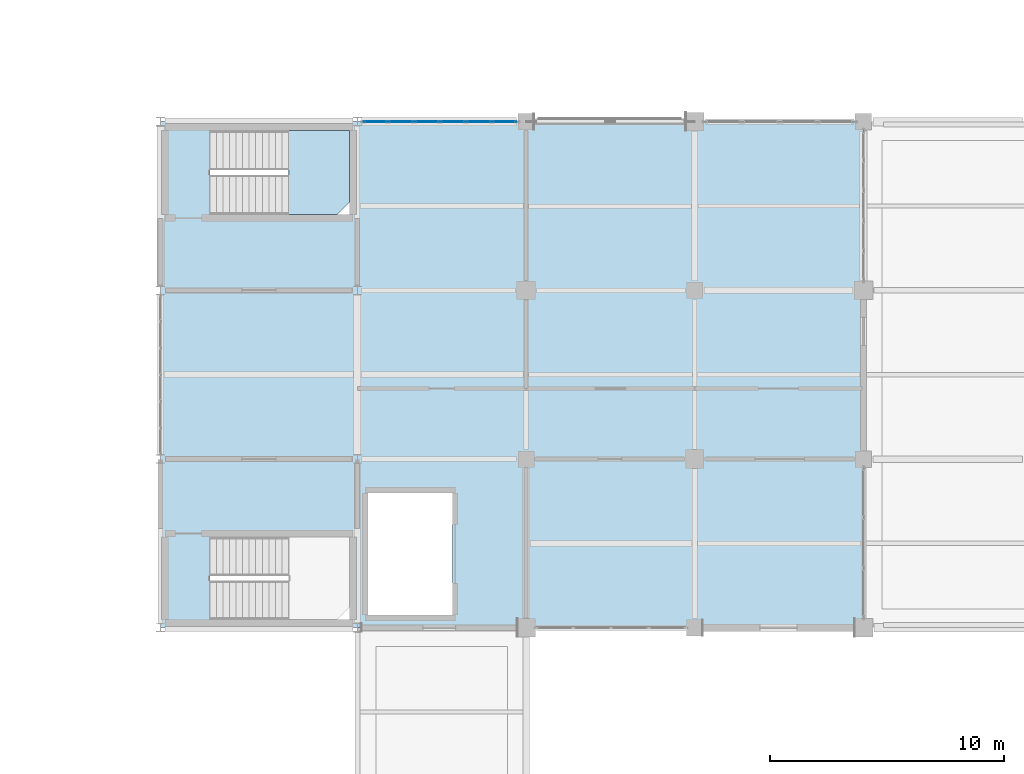
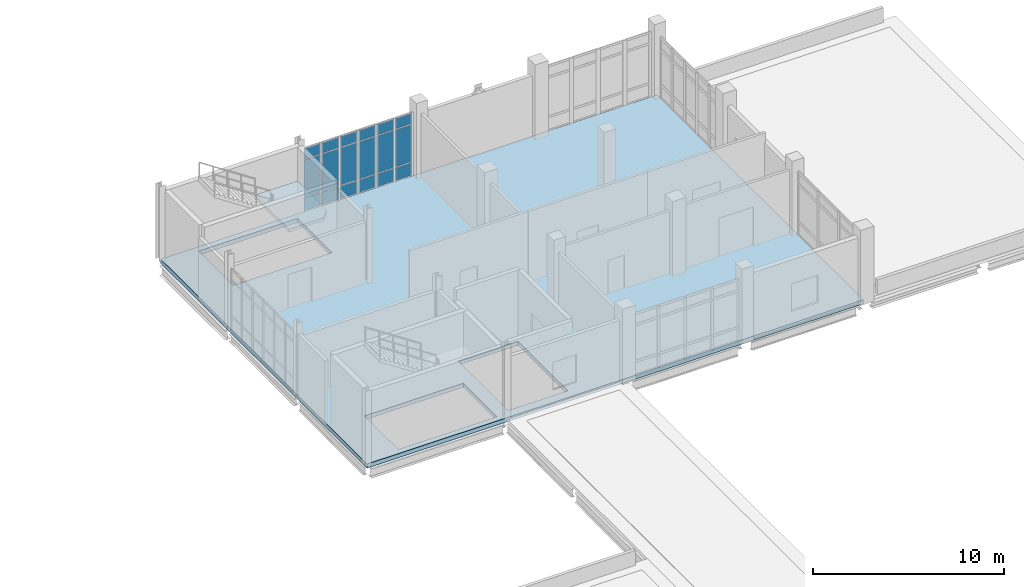
# One storey, part 104 of 153: 18 plates, 2 slabs, 2 elements without a shape of their own.
"""IFC4 building model written with IfcOpenShell, lengths in metres."""

from ifc_helpers import new_model, si_unit, direction, frame, origin, origin_2d, place, context, subcontext, project, spatial, polyline, rectangle, outline, extrude, material, layer, layer_set, type_object, element, aggregate, save


model = new_model("IFC4")

# Units and contexts
model_context = context("Model", 3, precision=1e-05, world=origin(), true_north=direction((0.0, 1.0)))
body_context = subcontext(model_context, "Body", "Model", "MODEL_VIEW")
ifc_project = project(units=[si_unit("LENGTHUNIT", "METRE"), si_unit("AREAUNIT", "SQUARE_METRE"), si_unit("VOLUMEUNIT", "CUBIC_METRE"), si_unit("PLANEANGLEUNIT", "RADIAN"), si_unit("MASSUNIT", "GRAM", prefix="KILO")], contexts=[model_context])

# Site, building, storey
site_placement = place(None, origin())
site = spatial("IfcSite", under=ifc_project, at=site_placement, CompositionType="ELEMENT")
building_placement = place(site_placement, origin())
building = spatial("IfcBuilding", under=site, at=building_placement, Name="Calvrana Isthmian Art Gallery", CompositionType="ELEMENT")
storey_placement = place(building_placement, frame((0.0, 0.0, 10.199951171875)))
storey = spatial("IfcBuildingStorey", under=building, at=storey_placement, Name="L02", CompositionType="ELEMENT", Elevation=10.199951171875)

# Curtain wall, plates
ifc_material_1 = material(Name="Anodized bronze aluminium 6063-T6", Category="aluminium")
ifc_layer_1 = layer(ifc_material_1, 0.179931640625, Name="Anodized bronze aluminium 6063-T6")
ifc_layer_set_1 = layer_set([ifc_layer_1], Name="Anodized bronze aluminium 6063-T6")
curtain_wall_type = type_object("IfcCurtainWallType", Name="CW-UNIT-067X41", PredefinedType="USERDEFINED", material=ifc_layer_set_1)
curtain_wall_placement = place(storey_placement, origin())
curtain_wall = element("IfcCurtainWall", 1, at=curtain_wall_placement, inside=storey, type_object=curtain_wall_type, Name="Curtain wall CW-160", ObjectType="UNITISED CURTAIN WALL", PredefinedType="USERDEFINED")
ifc_material_2 = material(Name="Polychrome glazed terracotta", Category="masonry")
ifc_layer_2 = layer(ifc_material_2, 0.033935546875, Name="Polychrome glazed terracotta")
ifc_layer_set_2 = layer_set([ifc_layer_2], Name="Polychrome glazed terracotta")
plate_type = type_object("IfcPlateType", Name="CWP-SPANDREL-34", PredefinedType="CURTAIN_PANEL", material=ifc_layer_set_2)
plate_1_placement = place(storey_placement, frame((113.560546875, 98.39990234375, 0.06005859375), z_axis=(0.0, 0.0, 1.0), x_axis=(1.0, 0.0, 0.0)))
plate_1 = element("IfcPlate", 2, at=plate_1_placement, type_object=plate_type, Name="CW-160 panel 1.1", PredefinedType="CURTAIN_PANEL", context=body_context, shape_type="SweptSolid", body=[
    extrude(rectangle(XDim=0.998046875, YDim=0.033935546875, at=origin_2d()), origin(), (0.0, 0.0, 1.0), 0.81005859375),
])
plate_2_placement = place(storey_placement, frame((113.560546875, 98.39990234375, 0.93017578125), z_axis=(0.0, 0.0, 1.0), x_axis=(1.0, 0.0, 0.0)))
plate_2 = element("IfcPlate", 3, at=plate_2_placement, type_object=plate_type, Name="CW-160 panel 1.2", PredefinedType="CURTAIN_PANEL", context=body_context, shape_type="SweptSolid", body=[
    extrude(rectangle(XDim=0.998046875, YDim=0.033935546875, at=origin_2d()), origin(), (0.0, 0.0, 1.0), 2.367919921875),
])
plate_3_placement = place(storey_placement, frame((113.560546875, 98.39990234375, 3.35791015625), z_axis=(0.0, 0.0, 1.0), x_axis=(1.0, 0.0, 0.0)))
plate_3 = element("IfcPlate", 4, at=plate_3_placement, type_object=plate_type, Name="CW-160 panel 1.3", PredefinedType="CURTAIN_PANEL", context=body_context, shape_type="SweptSolid", body=[
    extrude(rectangle(XDim=0.998046875, YDim=0.033935546875, at=origin_2d()), origin(), (0.0, 0.0, 1.0), 0.659912109375),
])
plate_4_placement = place(storey_placement, frame((114.65234375, 98.39990234375, 0.06005859375), z_axis=(0.0, 0.0, 1.0), x_axis=(1.0, 0.0, 0.0)))
plate_4 = element("IfcPlate", 5, at=plate_4_placement, type_object=plate_type, Name="CW-160 panel 2.1", PredefinedType="CURTAIN_PANEL", context=body_context, shape_type="SweptSolid", body=[
    extrude(rectangle(XDim=1.03564453125, YDim=0.033935546875, at=origin_2d()), origin(), (0.0, 0.0, 1.0), 0.81005859375),
])
plate_5_placement = place(storey_placement, frame((114.65234375, 98.39990234375, 0.93017578125), z_axis=(0.0, 0.0, 1.0), x_axis=(1.0, 0.0, 0.0)))
plate_5 = element("IfcPlate", 6, at=plate_5_placement, type_object=plate_type, Name="CW-160 panel 2.2", PredefinedType="CURTAIN_PANEL", context=body_context, shape_type="SweptSolid", body=[
    extrude(rectangle(XDim=1.03564453125, YDim=0.033935546875, at=origin_2d()), origin(), (0.0, 0.0, 1.0), 2.367919921875),
])
plate_6_placement = place(storey_placement, frame((114.65234375, 98.39990234375, 3.35791015625), z_axis=(0.0, 0.0, 1.0), x_axis=(1.0, 0.0, 0.0)))
plate_6 = element("IfcPlate", 7, at=plate_6_placement, type_object=plate_type, Name="CW-160 panel 2.3", PredefinedType="CURTAIN_PANEL", context=body_context, shape_type="SweptSolid", body=[
    extrude(rectangle(XDim=1.03564453125, YDim=0.033935546875, at=origin_2d()), origin(), (0.0, 0.0, 1.0), 0.659912109375),
])
plate_7_placement = place(storey_placement, frame((115.762939453125, 98.39990234375, 0.06005859375), z_axis=(0.0, 0.0, 1.0), x_axis=(1.0, 0.0, 0.0)))
plate_7 = element("IfcPlate", 8, at=plate_7_placement, type_object=plate_type, Name="CW-160 panel 3.1", PredefinedType="CURTAIN_PANEL", context=body_context, shape_type="SweptSolid", body=[
    extrude(rectangle(XDim=1.03564453125, YDim=0.033935546875, at=origin_2d()), origin(), (0.0, 0.0, 1.0), 0.81005859375),
])
plate_8_placement = place(storey_placement, frame((115.762939453125, 98.39990234375, 0.93017578125), z_axis=(0.0, 0.0, 1.0), x_axis=(1.0, 0.0, 0.0)))
plate_8 = element("IfcPlate", 9, at=plate_8_placement, type_object=plate_type, Name="CW-160 panel 3.2", PredefinedType="CURTAIN_PANEL", context=body_context, shape_type="SweptSolid", body=[
    extrude(rectangle(XDim=1.03564453125, YDim=0.033935546875, at=origin_2d()), origin(), (0.0, 0.0, 1.0), 2.367919921875),
])
plate_9_placement = place(storey_placement, frame((115.762939453125, 98.39990234375, 3.35791015625), z_axis=(0.0, 0.0, 1.0), x_axis=(1.0, 0.0, 0.0)))
plate_9 = element("IfcPlate", 10, at=plate_9_placement, type_object=plate_type, Name="CW-160 panel 3.3", PredefinedType="CURTAIN_PANEL", context=body_context, shape_type="SweptSolid", body=[
    extrude(rectangle(XDim=1.03564453125, YDim=0.033935546875, at=origin_2d()), origin(), (0.0, 0.0, 1.0), 0.659912109375),
])
plate_10_placement = place(storey_placement, frame((116.87353515625, 98.39990234375, 0.06005859375), z_axis=(0.0, 0.0, 1.0), x_axis=(1.0, 0.0, 0.0)))
plate_10 = element("IfcPlate", 11, at=plate_10_placement, type_object=plate_type, Name="CW-160 panel 4.1", PredefinedType="CURTAIN_PANEL", context=body_context, shape_type="SweptSolid", body=[
    extrude(rectangle(XDim=1.03564453125, YDim=0.033935546875, at=origin_2d()), origin(), (0.0, 0.0, 1.0), 0.81005859375),
])
plate_11_placement = place(storey_placement, frame((116.87353515625, 98.39990234375, 0.93017578125), z_axis=(0.0, 0.0, 1.0), x_axis=(1.0, 0.0, 0.0)))
plate_11 = element("IfcPlate", 12, at=plate_11_placement, type_object=plate_type, Name="CW-160 panel 4.2", PredefinedType="CURTAIN_PANEL", context=body_context, shape_type="SweptSolid", body=[
    extrude(rectangle(XDim=1.03564453125, YDim=0.033935546875, at=origin_2d()), origin(), (0.0, 0.0, 1.0), 2.367919921875),
])
plate_12_placement = place(storey_placement, frame((116.87353515625, 98.39990234375, 3.35791015625), z_axis=(0.0, 0.0, 1.0), x_axis=(1.0, 0.0, 0.0)))
plate_12 = element("IfcPlate", 13, at=plate_12_placement, type_object=plate_type, Name="CW-160 panel 4.3", PredefinedType="CURTAIN_PANEL", context=body_context, shape_type="SweptSolid", body=[
    extrude(rectangle(XDim=1.03564453125, YDim=0.033935546875, at=origin_2d()), origin(), (0.0, 0.0, 1.0), 0.659912109375),
])
plate_13_placement = place(storey_placement, frame((117.984130859375, 98.39990234375, 0.06005859375), z_axis=(0.0, 0.0, 1.0), x_axis=(1.0, 0.0, 0.0)))
plate_13 = element("IfcPlate", 14, at=plate_13_placement, type_object=plate_type, Name="CW-160 panel 5.1", PredefinedType="CURTAIN_PANEL", context=body_context, shape_type="SweptSolid", body=[
    extrude(rectangle(XDim=1.03564453125, YDim=0.033935546875, at=origin_2d()), origin(), (0.0, 0.0, 1.0), 0.81005859375),
])
plate_14_placement = place(storey_placement, frame((117.984130859375, 98.39990234375, 0.93017578125), z_axis=(0.0, 0.0, 1.0), x_axis=(1.0, 0.0, 0.0)))
plate_14 = element("IfcPlate", 15, at=plate_14_placement, type_object=plate_type, Name="CW-160 panel 5.2", PredefinedType="CURTAIN_PANEL", context=body_context, shape_type="SweptSolid", body=[
    extrude(rectangle(XDim=1.03564453125, YDim=0.033935546875, at=origin_2d()), origin(), (0.0, 0.0, 1.0), 2.367919921875),
])
plate_15_placement = place(storey_placement, frame((117.984130859375, 98.39990234375, 3.35791015625), z_axis=(0.0, 0.0, 1.0), x_axis=(1.0, 0.0, 0.0)))
plate_15 = element("IfcPlate", 16, at=plate_15_placement, type_object=plate_type, Name="CW-160 panel 5.3", PredefinedType="CURTAIN_PANEL", context=body_context, shape_type="SweptSolid", body=[
    extrude(rectangle(XDim=1.03564453125, YDim=0.033935546875, at=origin_2d()), origin(), (0.0, 0.0, 1.0), 0.659912109375),
])
plate_16_placement = place(storey_placement, frame((119.075927734375, 98.39990234375, 0.06005859375), z_axis=(0.0, 0.0, 1.0), x_axis=(1.0, 0.0, 0.0)))
plate_16 = element("IfcPlate", 17, at=plate_16_placement, type_object=plate_type, Name="CW-160 panel 6.1", PredefinedType="CURTAIN_PANEL", context=body_context, shape_type="SweptSolid", body=[
    extrude(rectangle(XDim=0.998046875, YDim=0.033935546875, at=origin_2d()), origin(), (0.0, 0.0, 1.0), 0.81005859375),
])
plate_17_placement = place(storey_placement, frame((119.075927734375, 98.39990234375, 0.93017578125), z_axis=(0.0, 0.0, 1.0), x_axis=(1.0, 0.0, 0.0)))
plate_17 = element("IfcPlate", 18, at=plate_17_placement, type_object=plate_type, Name="CW-160 panel 6.2", PredefinedType="CURTAIN_PANEL", context=body_context, shape_type="SweptSolid", body=[
    extrude(rectangle(XDim=0.998046875, YDim=0.033935546875, at=origin_2d()), origin(), (0.0, 0.0, 1.0), 2.367919921875),
])
plate_18_placement = place(storey_placement, frame((119.075927734375, 98.39990234375, 3.35791015625), z_axis=(0.0, 0.0, 1.0), x_axis=(1.0, 0.0, 0.0)))
plate_18 = element("IfcPlate", 19, at=plate_18_placement, type_object=plate_type, Name="CW-160 panel 6.3", PredefinedType="CURTAIN_PANEL", context=body_context, shape_type="SweptSolid", body=[
    extrude(rectangle(XDim=0.998046875, YDim=0.033935546875, at=origin_2d()), origin(), (0.0, 0.0, 1.0), 0.659912109375),
])
aggregate(curtain_wall, [plate_1, plate_2, plate_3, plate_4, plate_5, plate_6, plate_7, plate_8, plate_9, plate_10, plate_11, plate_12, plate_13, plate_14, plate_15, plate_16, plate_17, plate_18])

# Slab
ifc_material_3 = material(Name="Concrete C40/50", Category="concrete")
ifc_layer_3 = layer(ifc_material_3, 0.260009765625, Name="Concrete C40/50")
ifc_layer_set_3 = layer_set([ifc_layer_3], Name="Concrete C40/50")
slab_type_1 = type_object("IfcSlabType", Name="SLB-GAL-260", PredefinedType="FLOOR", material=ifc_layer_set_3)
slab_1_placement = place(storey_placement, frame((0.0, 0.0, -0.260009765625)))
element("IfcSlab", 20, at=slab_1_placement, inside=storey, type_object=slab_type_1, Name="Floor slab V5_L02", PredefinedType="FLOOR", context=body_context, shape_type="SweptSolid", body=[
    extrude(outline(polyline([(104.39990234375, 76.800048828125), (134.39990234375, 76.800048828125), (134.39990234375, 98.39990234375), (104.39990234375, 98.39990234375), (104.39990234375, 76.800048828125)]), holes=[polyline([(106.5, 77.14990234375), (112.4599609375, 77.14990234375), (112.4599609375, 80.669921875), (106.5, 80.669921875), (106.5, 77.14990234375)]), polyline([(113.25, 77.35009765625), (116.85009765625, 77.35009765625), (116.85009765625, 82.550048828125), (113.25, 82.550048828125), (113.25, 77.35009765625)]), polyline([(106.5, 94.429931640625), (112.4599609375, 94.429931640625), (112.4599609375, 98.030029296875), (106.5, 98.030029296875), (106.5, 94.429931640625)])]), origin(), (0.0, 0.0, 1.0), 0.260009765625),
])

# Stair, slab
stair_type = type_object("IfcStairType", Name="STR-TSR-480", PredefinedType="TWO_STRAIGHT_RUN_STAIR", material=ifc_material_3)
stair_placement = place(storey_placement, origin())
stair = element("IfcStair", 21, at=stair_placement, inside=storey, type_object=stair_type, Name="Protected exit stair ST-8 (L02)", PredefinedType="TWO_STRAIGHT_RUN_STAIR")
ifc_layer_4 = layer(ifc_material_3, 0.199951171875, Name="Concrete C40/50")
ifc_layer_set_4 = layer_set([ifc_layer_4], Name="Concrete C40/50")
slab_type_2 = type_object("IfcSlabType", Name="SLB-LAND-200", PredefinedType="LANDING", material=ifc_layer_set_4)
slab_2_placement = place(storey_placement, frame((0.0, 0.0, 2.199951171875)))
slab_2 = element("IfcSlab", 22, at=slab_2_placement, type_object=slab_type_2, Name="ST-8 landing 1", PredefinedType="LANDING", context=body_context, shape_type="SweptSolid", body=[
    extrude(outline(polyline([(109.860107421875, 94.429931640625), (111.93994140625, 94.429931640625), (112.4599609375, 94.949951171875), (112.4599609375, 98.030029296875), (109.860107421875, 98.030029296875), (109.860107421875, 94.429931640625)])), origin(), (0.0, 0.0, 1.0), 0.2001953125),
])
aggregate(stair, [slab_2])

save(model, "model.ifc")
